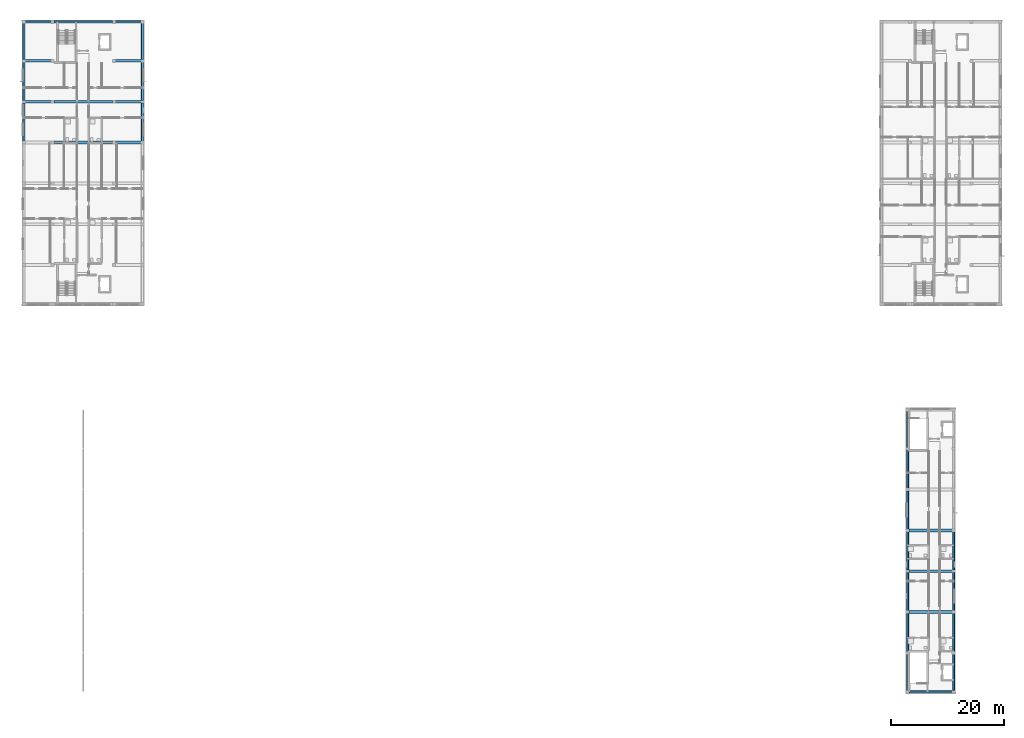
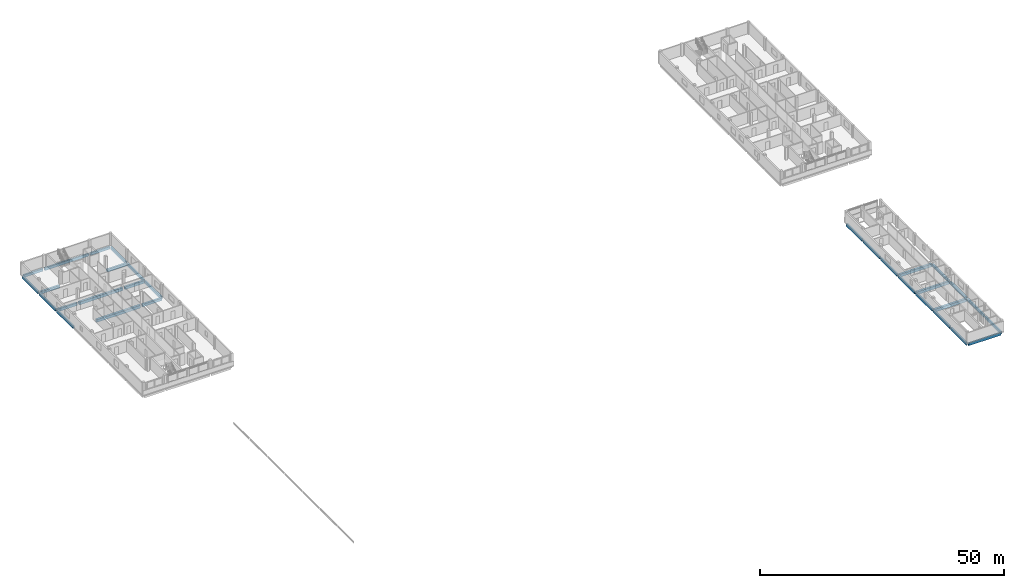
# One storey, part 5 of 28: 31 beams.
"""IFC4 building model written with IfcOpenShell, lengths in metres."""

from ifc_helpers import new_model, si_unit, derived_unit, direction, frame, origin, origin_2d, place, context, subcontext, project, spatial, rectangle, extrude, material, material_profile, profile_set, type_object, element, save


model = new_model("IFC4")

# Units and contexts
model_context = context("Model", 3, precision=1e-05, world=origin(), true_north=direction((0.0, 1.0)))
body_context = subcontext(model_context, "Body", "Model", "MODEL_VIEW")
ifc_project = project(units=[si_unit("LENGTHUNIT", "METRE"), si_unit("AREAUNIT", "SQUARE_METRE"), si_unit("VOLUMEUNIT", "CUBIC_METRE"), si_unit("PLANEANGLEUNIT", "RADIAN"), si_unit("MASSUNIT", "GRAM", prefix="KILO"), derived_unit("THERMALTRANSMITTANCEUNIT", [(si_unit("MASSUNIT", "GRAM", prefix="KILO"), 1), (si_unit("TIMEUNIT", "SECOND"), -3), (si_unit("THERMODYNAMICTEMPERATUREUNIT", "KELVIN"), -1)])], contexts=[model_context])

# Site, building, storey
site_placement = place(None, origin())
site = spatial("IfcSite", under=ifc_project, at=site_placement, CompositionType="ELEMENT")
building_placement = place(site_placement, origin())
building = spatial("IfcBuilding", under=site, at=building_placement, Name="Ochrekiln Boulevard Commons", CompositionType="ELEMENT")
storey_placement = place(building_placement, frame((0.0, 0.0, 34.125)))
storey = spatial("IfcBuildingStorey", under=building, at=storey_placement, Name="L10", CompositionType="ELEMENT", Elevation=34.125)

# Beams
ifc_material_1 = material(Name="Concrete C35/45", Category="concrete")
ifc_material_profile_1 = material_profile(ifc_material_1, rectangle(XDim=0.449951171875, YDim=0.64990234375, at=origin_2d()), Name="RC-BM-450x650")
ifc_profile_set_1 = profile_set([ifc_material_profile_1], Name="Concrete C35/45")
beam_type_1 = type_object("IfcBeamType", Name="BM-RC-450x650", PredefinedType="BEAM", material=ifc_profile_set_1)
beam_1_placement = place(storey_placement, frame((16.409912109375, 97.199951171875, -0.574951171875), z_axis=(1.0, 0.0, 0.0), x_axis=(0.0, 1.0, 0.0)))
element("IfcBeam", 1, at=beam_1_placement, inside=storey, type_object=beam_type_1, Name="Block A L10 Beam B-4565 X14", PredefinedType="BEAM", context=body_context, shape_type="SweptSolid", body=[
    extrude(rectangle(XDim=0.449951171875, YDim=0.64990234375, at=origin_2d()), origin(), (0.0, 0.0, 1.0), 4.630126953125),
])
beam_2_placement = place(storey_placement, frame((0.56005859375, 104.39990234375, -0.574951171875), z_axis=(1.0, 0.0, 0.0), x_axis=(0.0, 1.0, 0.0)))
element("IfcBeam", 2, at=beam_2_placement, inside=storey, type_object=beam_type_1, Name="Block A L10 Beam B-4565 X15", PredefinedType="BEAM", context=body_context, shape_type="SweptSolid", body=[
    extrude(rectangle(XDim=0.449951171875, YDim=0.64990234375, at=origin_2d()), origin(), (0.0, 0.0, 1.0), 4.6298828125),
])
beam_3_placement = place(storey_placement, frame((16.409912109375, 104.39990234375, -0.574951171875), z_axis=(1.0, 0.0, 0.0), x_axis=(0.0, 1.0, 0.0)))
element("IfcBeam", 3, at=beam_3_placement, inside=storey, type_object=beam_type_1, Name="Block A L10 Beam B-4565 X17", PredefinedType="BEAM", context=body_context, shape_type="SweptSolid", body=[
    extrude(rectangle(XDim=0.449951171875, YDim=0.64990234375, at=origin_2d()), origin(), (0.0, 0.0, 1.0), 4.630126953125),
])
beam_4_placement = place(storey_placement, frame((0.56005859375, 111.60009765625, -0.574951171875), z_axis=(1.0, 0.0, 0.0), x_axis=(0.0, 1.0, 0.0)))
element("IfcBeam", 4, at=beam_4_placement, inside=storey, type_object=beam_type_1, Name="Block A L10 Beam B-4565 X18", PredefinedType="BEAM", context=body_context, shape_type="SweptSolid", body=[
    extrude(rectangle(XDim=0.449951171875, YDim=0.64990234375, at=origin_2d()), origin(), (0.0, 0.0, 1.0), 4.6298828125),
])
beam_5_placement = place(storey_placement, frame((16.409912109375, 111.60009765625, -0.574951171875), z_axis=(1.0, 0.0, 0.0), x_axis=(0.0, 1.0, 0.0)))
element("IfcBeam", 5, at=beam_5_placement, inside=storey, type_object=beam_type_1, Name="Block A L10 Beam B-4565 X19", PredefinedType="BEAM", context=body_context, shape_type="SweptSolid", body=[
    extrude(rectangle(XDim=0.449951171875, YDim=0.64990234375, at=origin_2d()), origin(), (0.0, 0.0, 1.0), 4.630126953125),
])
ifc_material_2 = material(Name="Concrete C40/50", Category="concrete")
ifc_material_profile_2 = material_profile(ifc_material_2, rectangle(XDim=0.5, YDim=0.699951171875, at=origin_2d()), Name="RC-BM-500x700")
ifc_profile_set_2 = profile_set([ifc_material_profile_2], Name="Concrete C40/50")
beam_type_2 = type_object("IfcBeamType", Name="BM-RC-500x700", PredefinedType="BEAM", material=ifc_profile_set_2)
for number, where, z_axis, x_axis, name in (
    (6, (5.610107421875, 97.199951171875, -0.60009765625), (1.0, 0.0, 0.0), (0.0, 1.0, 0.0), "Block A L10 Beam B-5070 X13"),
    (7, (5.610107421875, 104.39990234375, -0.60009765625), (1.0, 0.0, 0.0), (0.0, 1.0, 0.0), "Block A L10 Beam B-5070 X16"),
):
    element("IfcBeam", number, at=place(storey_placement, frame(where, z_axis=z_axis, x_axis=x_axis)), inside=storey, type_object=beam_type_2, Name=name, PredefinedType="BEAM", context=body_context, shape_type="SweptSolid", body=[
        extrude(rectangle(XDim=0.5, YDim=0.699951171875, at=origin_2d()), origin(), (0.0, 0.0, 1.0), 10.3798828125),
    ])
for number, where, z_axis, x_axis, name in (
    (8, (156.360107421875, 14.39990234375, -0.60009765625), (1.0, 0.0, 0.0), (0.0, 1.0, 0.0), "Block C L10 Beam B-5070 X2"),
    (9, (156.360107421875, 21.60009765625, -0.60009765625), (1.0, 0.0, 0.0), (0.0, 1.0, 0.0), "Block C L10 Beam B-5070 X3"),
    (10, (156.360107421875, 28.800048828125, -0.60009765625), (1.0, 0.0, 0.0), (0.0, 1.0, 0.0), "Block C L10 Beam B-5070 X4"),
):
    element("IfcBeam", number, at=place(storey_placement, frame(where, z_axis=z_axis, x_axis=x_axis)), inside=storey, type_object=beam_type_2, Name=name, PredefinedType="BEAM", context=body_context, shape_type="SweptSolid", body=[
        extrude(rectangle(XDim=0.5, YDim=0.699951171875, at=origin_2d()), origin(), (0.0, 0.0, 1.0), 7.679931640625),
    ])
ifc_material_profile_3 = material_profile(ifc_material_2, rectangle(XDim=0.35009765625, YDim=0.64990234375, at=origin_2d()), Name="RC-SPN-350x650")
ifc_profile_set_3 = profile_set([ifc_material_profile_3], Name="Concrete C40/50")
beam_type_3 = type_object("IfcBeamType", Name="SPN-RC-350x650", PredefinedType="SPANDREL", material=ifc_profile_set_3)
beam_6_placement = place(storey_placement, frame((0.56005859375, 118.449951171875, -0.574951171875), z_axis=(1.0, 0.0, 0.0), x_axis=(0.0, 1.0, 0.0)))
element("IfcBeam", 11, at=beam_6_placement, inside=storey, type_object=beam_type_3, Name="Block A L10 Beam SP-3565 X20", PredefinedType="SPANDREL", context=body_context, shape_type="SweptSolid", body=[
    extrude(rectangle(XDim=0.35009765625, YDim=0.64990234375, at=origin_2d()), origin(), (0.0, 0.0, 1.0), 4.6298828125),
])
beam_7_placement = place(storey_placement, frame((5.610107421875, 118.449951171875, -0.574951171875), z_axis=(1.0, 0.0, 0.0), x_axis=(0.0, 1.0, 0.0)))
element("IfcBeam", 12, at=beam_7_placement, inside=storey, type_object=beam_type_3, Name="Block A L10 Beam SP-3565 X21", PredefinedType="SPANDREL", context=body_context, shape_type="SweptSolid", body=[
    extrude(rectangle(XDim=0.35009765625, YDim=0.64990234375, at=origin_2d()), origin(), (0.0, 0.0, 1.0), 10.3798828125),
])
beam_8_placement = place(storey_placement, frame((16.409912109375, 118.449951171875, -0.574951171875), z_axis=(1.0, 0.0, 0.0), x_axis=(0.0, 1.0, 0.0)))
element("IfcBeam", 13, at=beam_8_placement, inside=storey, type_object=beam_type_3, Name="Block A L10 Beam SP-3565 X22", PredefinedType="SPANDREL", context=body_context, shape_type="SweptSolid", body=[
    extrude(rectangle(XDim=0.35009765625, YDim=0.64990234375, at=origin_2d()), origin(), (0.0, 0.0, 1.0), 4.630126953125),
])
beam_9_placement = place(storey_placement, frame((0.35009765625, 97.409912109375, -0.574951171875), z_axis=(0.0, 1.0, 0.0), x_axis=(-1.0, 0.0, 0.0)))
element("IfcBeam", 14, at=beam_9_placement, inside=storey, type_object=beam_type_3, Name="Block A L10 Beam SP-3565 Y27", PredefinedType="SPANDREL", context=body_context, shape_type="SweptSolid", body=[
    extrude(rectangle(XDim=0.35009765625, YDim=0.64990234375, at=origin_2d()), origin(), (0.0, 0.0, 1.0), 6.780029296875),
])
beam_10_placement = place(storey_placement, frame((0.35009765625, 104.610107421875, -0.574951171875), z_axis=(0.0, 1.0, 0.0), x_axis=(-1.0, 0.0, 0.0)))
element("IfcBeam", 15, at=beam_10_placement, inside=storey, type_object=beam_type_3, Name="Block A L10 Beam SP-3565 Y28", PredefinedType="SPANDREL", context=body_context, shape_type="SweptSolid", body=[
    extrude(rectangle(XDim=0.35009765625, YDim=0.64990234375, at=origin_2d()), origin(), (0.0, 0.0, 1.0), 6.77978515625),
])
beam_11_placement = place(storey_placement, frame((0.35009765625, 111.81005859375, -0.574951171875), z_axis=(0.0, 1.0, 0.0), x_axis=(-1.0, 0.0, 0.0)))
element("IfcBeam", 16, at=beam_11_placement, inside=storey, type_object=beam_type_3, Name="Block A L10 Beam SP-3565 Y29", PredefinedType="SPANDREL", context=body_context, shape_type="SweptSolid", body=[
    extrude(rectangle(XDim=0.35009765625, YDim=0.64990234375, at=origin_2d()), origin(), (0.0, 0.0, 1.0), 6.429931640625),
])
beam_12_placement = place(storey_placement, frame((21.25, 97.409912109375, -0.574951171875), z_axis=(0.0, 1.0, 0.0), x_axis=(-1.0, 0.0, 0.0)))
element("IfcBeam", 17, at=beam_12_placement, inside=storey, type_object=beam_type_3, Name="Block A L10 Beam SP-3565 Y34", PredefinedType="SPANDREL", context=body_context, shape_type="SweptSolid", body=[
    extrude(rectangle(XDim=0.35009765625, YDim=0.64990234375, at=origin_2d()), origin(), (0.0, 0.0, 1.0), 6.780029296875),
])
beam_13_placement = place(storey_placement, frame((21.25, 104.610107421875, -0.574951171875), z_axis=(0.0, 1.0, 0.0), x_axis=(-1.0, 0.0, 0.0)))
element("IfcBeam", 18, at=beam_13_placement, inside=storey, type_object=beam_type_3, Name="Block A L10 Beam SP-3565 Y35", PredefinedType="SPANDREL", context=body_context, shape_type="SweptSolid", body=[
    extrude(rectangle(XDim=0.35009765625, YDim=0.64990234375, at=origin_2d()), origin(), (0.0, 0.0, 1.0), 6.77978515625),
])
beam_14_placement = place(storey_placement, frame((21.25, 111.81005859375, -0.574951171875), z_axis=(0.0, 1.0, 0.0), x_axis=(-1.0, 0.0, 0.0)))
element("IfcBeam", 19, at=beam_14_placement, inside=storey, type_object=beam_type_3, Name="Block A L10 Beam SP-3565 Y36", PredefinedType="SPANDREL", context=body_context, shape_type="SweptSolid", body=[
    extrude(rectangle(XDim=0.35009765625, YDim=0.64990234375, at=origin_2d()), origin(), (0.0, 0.0, 1.0), 6.429931640625),
])
beam_15_placement = place(storey_placement, frame((156.360107421875, 0.35009765625, -0.574951171875), z_axis=(1.0, 0.0, 0.0), x_axis=(0.0, 1.0, 0.0)))
element("IfcBeam", 20, at=beam_15_placement, inside=storey, type_object=beam_type_3, Name="Block C L10 Beam SP-3565 X1", PredefinedType="SPANDREL", context=body_context, shape_type="SweptSolid", body=[
    extrude(rectangle(XDim=0.35009765625, YDim=0.64990234375, at=origin_2d()), origin(), (0.0, 0.0, 1.0), 7.679931640625),
])
beam_16_placement = place(storey_placement, frame((156.14990234375, 0.56005859375, -0.574951171875), z_axis=(0.0, 1.0, 0.0), x_axis=(-1.0, 0.0, 0.0)))
element("IfcBeam", 21, at=beam_16_placement, inside=storey, type_object=beam_type_3, Name="Block C L10 Beam SP-3565 Y7", PredefinedType="SPANDREL", context=body_context, shape_type="SweptSolid", body=[
    extrude(rectangle(XDim=0.35009765625, YDim=0.64990234375, at=origin_2d()), origin(), (0.0, 0.0, 1.0), 6.429931640625),
])
beam_17_placement = place(storey_placement, frame((156.14990234375, 7.409912109375, -0.574951171875), z_axis=(0.0, 1.0, 0.0), x_axis=(-1.0, 0.0, 0.0)))
element("IfcBeam", 22, at=beam_17_placement, inside=storey, type_object=beam_type_3, Name="Block C L10 Beam SP-3565 Y8", PredefinedType="SPANDREL", context=body_context, shape_type="SweptSolid", body=[
    extrude(rectangle(XDim=0.35009765625, YDim=0.64990234375, at=origin_2d()), origin(), (0.0, 0.0, 1.0), 6.780029296875),
])
beam_18_placement = place(storey_placement, frame((156.14990234375, 14.610107421875, -0.574951171875), z_axis=(0.0, 1.0, 0.0), x_axis=(-1.0, 0.0, 0.0)))
element("IfcBeam", 23, at=beam_18_placement, inside=storey, type_object=beam_type_3, Name="Block C L10 Beam SP-3565 Y9", PredefinedType="SPANDREL", context=body_context, shape_type="SweptSolid", body=[
    extrude(rectangle(XDim=0.35009765625, YDim=0.64990234375, at=origin_2d()), origin(), (0.0, 0.0, 1.0), 6.77978515625),
])
for number, where, z_axis, x_axis, name in (
    (24, (156.14990234375, 21.81005859375, -0.574951171875), (0.0, 1.0, 0.0), (-1.0, 0.0, 0.0), "Block C L10 Beam SP-3565 Y10"),
    (25, (156.14990234375, 29.010009765625, -0.574951171875), (0.0, 1.0, 0.0), (-1.0, 0.0, 0.0), "Block C L10 Beam SP-3565 Y11"),
    (26, (156.14990234375, 36.2099609375, -0.574951171875), (0.0, 1.0, 0.0), (-1.0, 0.0, 0.0), "Block C L10 Beam SP-3565 Y12"),
):
    element("IfcBeam", number, at=place(storey_placement, frame(where, z_axis=z_axis, x_axis=x_axis)), inside=storey, type_object=beam_type_3, Name=name, PredefinedType="SPANDREL", context=body_context, shape_type="SweptSolid", body=[
        extrude(rectangle(XDim=0.35009765625, YDim=0.64990234375, at=origin_2d()), origin(), (0.0, 0.0, 1.0), 6.780029296875),
    ])
beam_19_placement = place(storey_placement, frame((156.14990234375, 43.409912109375, -0.574951171875), z_axis=(0.0, 1.0, 0.0), x_axis=(-1.0, 0.0, 0.0)))
element("IfcBeam", 27, at=beam_19_placement, inside=storey, type_object=beam_type_3, Name="Block C L10 Beam SP-3565 Y13", PredefinedType="SPANDREL", context=body_context, shape_type="SweptSolid", body=[
    extrude(rectangle(XDim=0.35009765625, YDim=0.64990234375, at=origin_2d()), origin(), (0.0, 0.0, 1.0), 6.43017578125),
])
beam_20_placement = place(storey_placement, frame((164.25, 0.56005859375, -0.574951171875), z_axis=(0.0, 1.0, 0.0), x_axis=(-1.0, 0.0, 0.0)))
element("IfcBeam", 28, at=beam_20_placement, inside=storey, type_object=beam_type_3, Name="Block C L10 Beam SP-3565 Y14", PredefinedType="SPANDREL", context=body_context, shape_type="SweptSolid", body=[
    extrude(rectangle(XDim=0.35009765625, YDim=0.64990234375, at=origin_2d()), origin(), (0.0, 0.0, 1.0), 6.429931640625),
])
beam_21_placement = place(storey_placement, frame((164.25, 7.409912109375, -0.574951171875), z_axis=(0.0, 1.0, 0.0), x_axis=(-1.0, 0.0, 0.0)))
element("IfcBeam", 29, at=beam_21_placement, inside=storey, type_object=beam_type_3, Name="Block C L10 Beam SP-3565 Y15", PredefinedType="SPANDREL", context=body_context, shape_type="SweptSolid", body=[
    extrude(rectangle(XDim=0.35009765625, YDim=0.64990234375, at=origin_2d()), origin(), (0.0, 0.0, 1.0), 6.780029296875),
])
beam_22_placement = place(storey_placement, frame((164.25, 14.610107421875, -0.574951171875), z_axis=(0.0, 1.0, 0.0), x_axis=(-1.0, 0.0, 0.0)))
element("IfcBeam", 30, at=beam_22_placement, inside=storey, type_object=beam_type_3, Name="Block C L10 Beam SP-3565 Y16", PredefinedType="SPANDREL", context=body_context, shape_type="SweptSolid", body=[
    extrude(rectangle(XDim=0.35009765625, YDim=0.64990234375, at=origin_2d()), origin(), (0.0, 0.0, 1.0), 6.77978515625),
])
beam_23_placement = place(storey_placement, frame((164.25, 21.81005859375, -0.574951171875), z_axis=(0.0, 1.0, 0.0), x_axis=(-1.0, 0.0, 0.0)))
element("IfcBeam", 31, at=beam_23_placement, inside=storey, type_object=beam_type_3, Name="Block C L10 Beam SP-3565 Y17", PredefinedType="SPANDREL", context=body_context, shape_type="SweptSolid", body=[
    extrude(rectangle(XDim=0.35009765625, YDim=0.64990234375, at=origin_2d()), origin(), (0.0, 0.0, 1.0), 6.780029296875),
])

save(model, "model.ifc")
